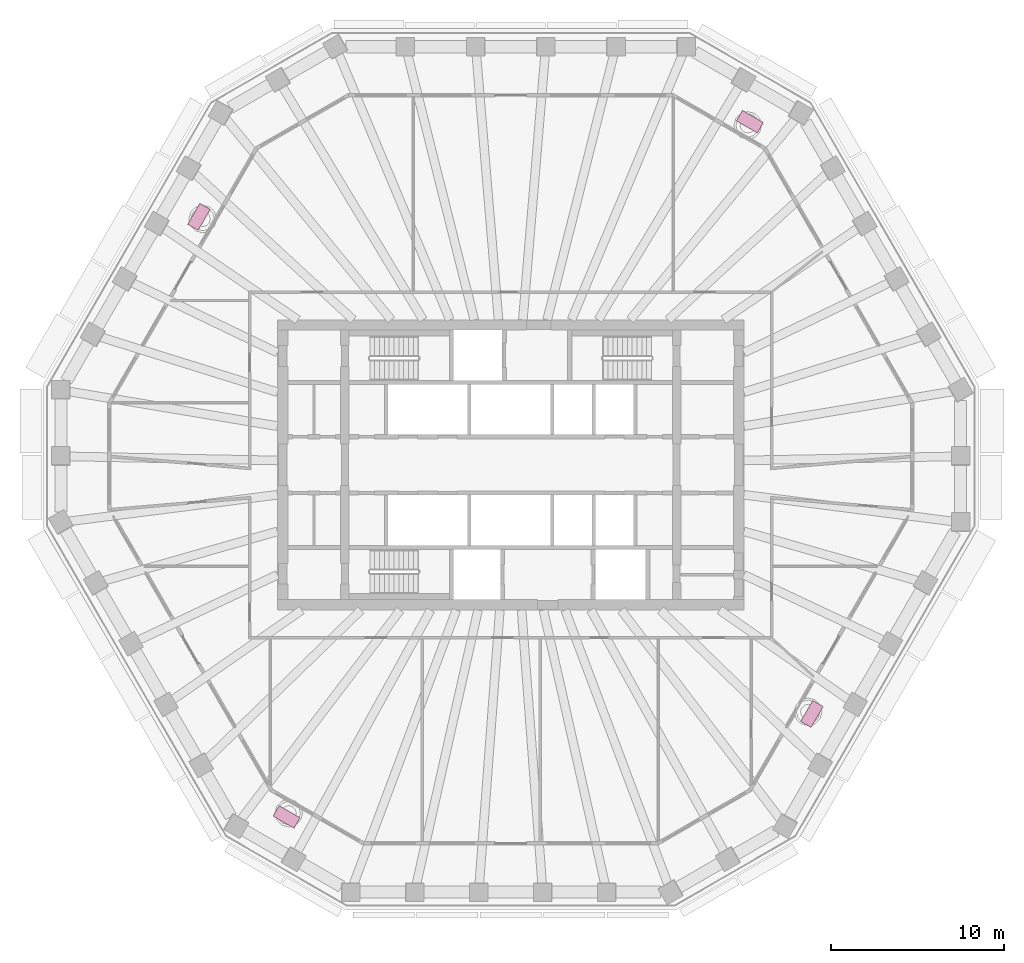
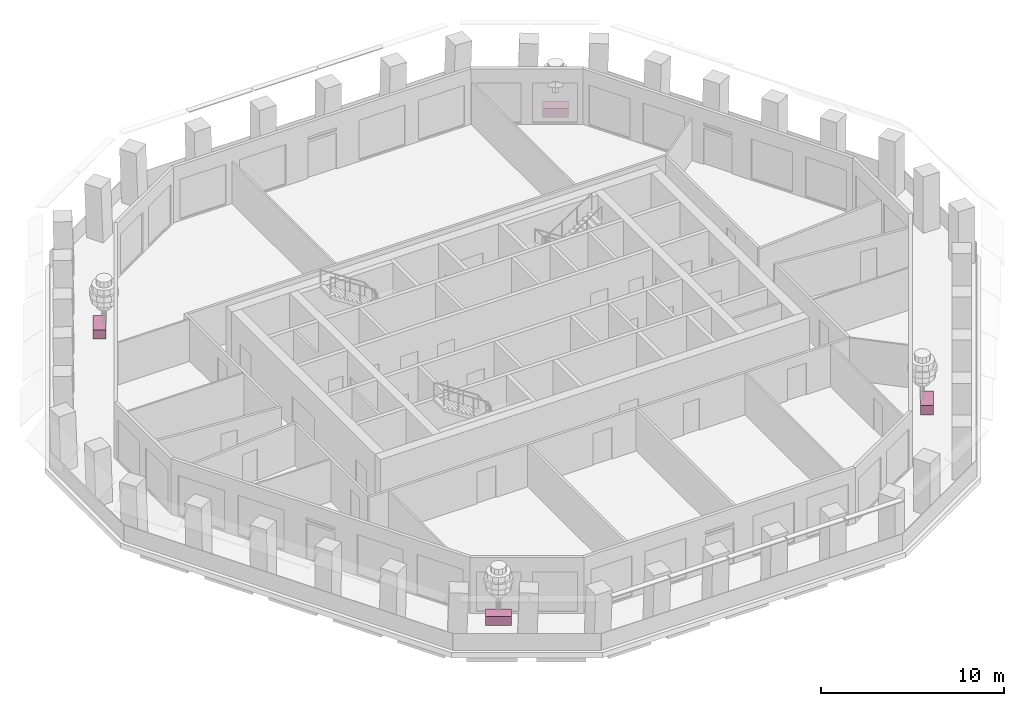
# One storey, part 11 of 12: 4 furniture elements.
"""IFC4 building model written with IfcOpenShell, lengths in metres."""

from ifc_helpers import new_model, si_unit, direction, frame, origin, origin_2d, place, context, subcontext, project, spatial, rectangle, extrude, material, type_object, element, save


model = new_model("IFC4")

# Units and contexts
model_context = context("Model", 3, precision=1e-05, world=origin(), true_north=direction((0.0, 1.0)))
body_context = subcontext(model_context, "Body", "Model", "MODEL_VIEW")
ifc_project = project(units=[si_unit("LENGTHUNIT", "METRE"), si_unit("AREAUNIT", "SQUARE_METRE"), si_unit("VOLUMEUNIT", "CUBIC_METRE"), si_unit("PLANEANGLEUNIT", "RADIAN"), si_unit("MASSUNIT", "GRAM", prefix="KILO")], contexts=[model_context])

# Site, building, storey
site_placement = place(None, origin())
site = spatial("IfcSite", under=ifc_project, at=site_placement, CompositionType="ELEMENT")
building_placement = place(site_placement, origin())
building = spatial("IfcBuilding", under=site, at=building_placement, Name="Frailejon Research Tower", CompositionType="ELEMENT")
storey_placement = place(building_placement, frame((0.0, 0.0, 227.39990234375)))
storey = spatial("IfcBuildingStorey", under=building, at=storey_placement, Name="L49", CompositionType="ELEMENT", Elevation=227.39990234375)

# Furniture
ifc_material = material(Name="Precast concrete C30/37 planter, terracotta", Category="masonry")
furniture_type = type_object("IfcFurnitureType", Name="Loggia planter 1400x700", AssemblyPlace="NOTDEFINED", PredefinedType="USERDEFINED", material=ifc_material)
for number, where, z_axis, x_axis, name in (
    (1, (13.841552734375, 19.865478515625, 0.0), (0.0, 0.0, 1.0), (-0.866025403784, 0.5, 0.0), "Planter L49"),
    (2, (-18.039794921875, 14.359619140625, 0.0), (0.0, 0.0, 1.0), (-0.5, -0.866025403784, 0.0), "Planter L49"),
    (3, (-12.970703125, -20.3681640625, 0.0), (0.0, 0.0, 1.0), (0.866025403784, -0.5, 0.0), "Planter L49"),
    (4, (17.430419921875, -14.409912109375, 0.0), (0.0, 0.0, 1.0), (0.5, 0.866025403784, 0.0), "Planter L49"),
):
    element("IfcFurniture", number, at=place(storey_placement, frame(where, z_axis=z_axis, x_axis=x_axis)), inside=storey, type_object=furniture_type, Name=name, ObjectType="PLANTER", PredefinedType="USERDEFINED", context=body_context, shape_type="SweptSolid", body=[
        extrude(rectangle(XDim=1.39990234375, YDim=0.699951171875, at=origin_2d()), origin(), (0.0, 0.0, 1.0), 0.60009765625),
    ])

save(model, "model.ifc")
